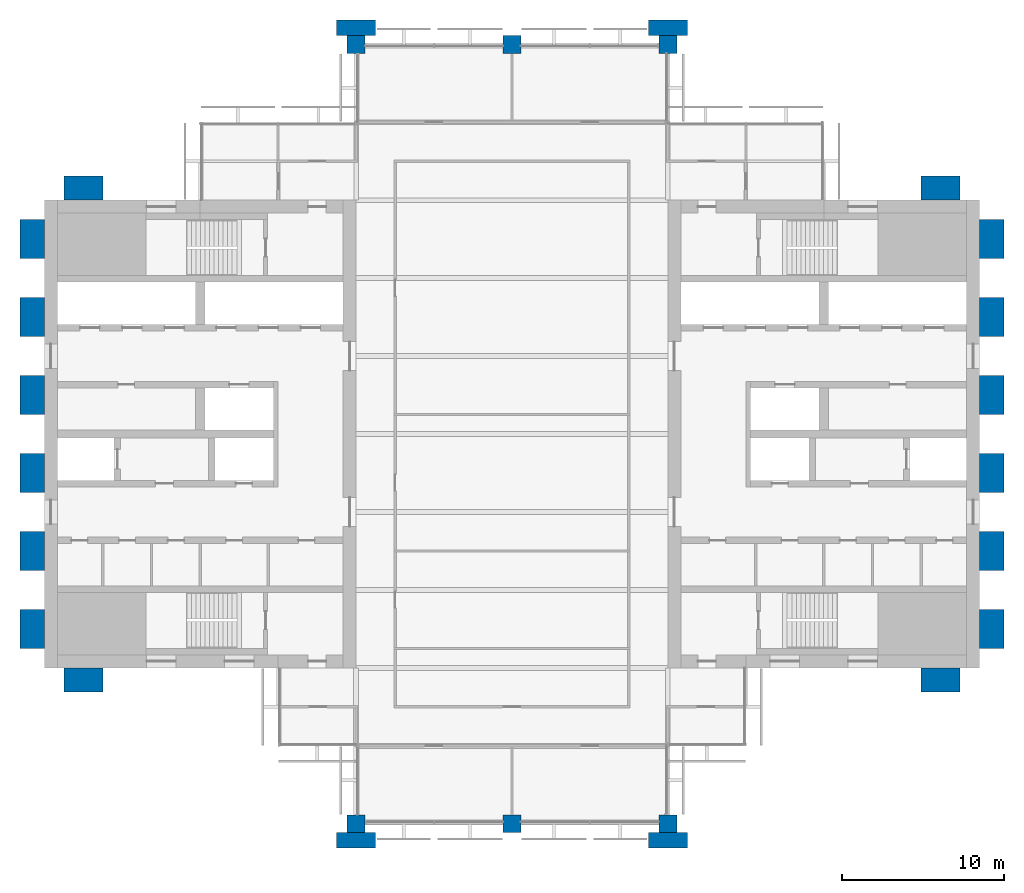
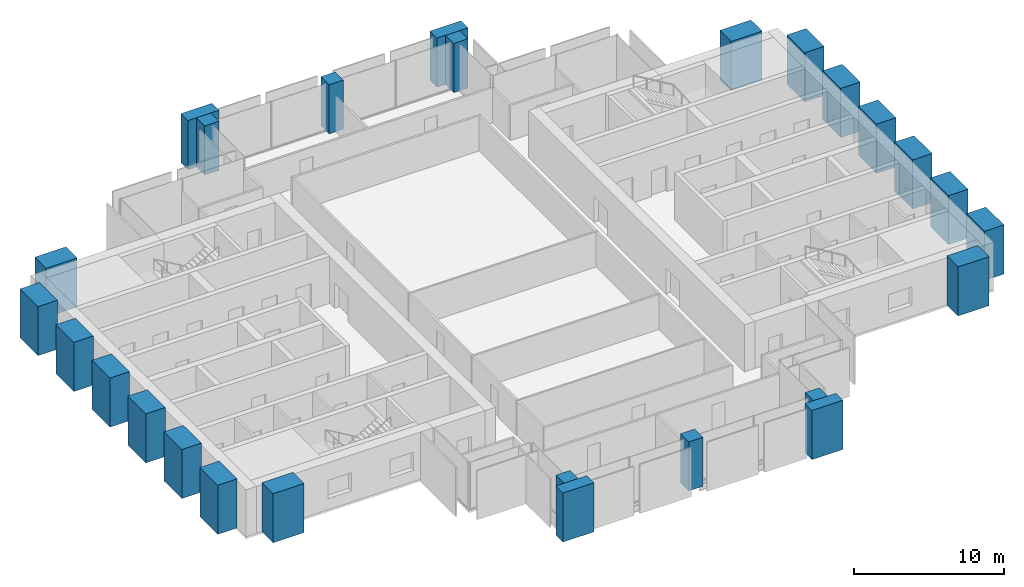
# One storey, part 1 of 13: 26 columns.
"""IFC4 building model written with IfcOpenShell, lengths in metres."""

import ifcopenshell
import ifcopenshell.guid

model = None  # the IFC model being written
_history = None  # IfcOwnerHistory: only IFC2X3 demands one
_inside = {}  # id of a spatial element -> (the spatial element, [elements in it])
_under = {}  # id of a project, library or spatial element -> (it, [spatial elements below it])
_declared = {}  # id of a project -> (the project, [libraries it declares])
_typed = {}  # id of a type object -> (the type object, [elements of that type])
_made_of = {}  # id of a material, layer set ... -> (it, [elements and type objects made of it])


def new_model(schema):
    """Start an empty IFC model of exactly this schema.

    Asked for "IFC4X3", IfcOpenShell would pick the latest addendum, in which some entities
    have other attributes; the version numbers below select the first issue.
    IFC2X3 requires an IfcOwnerHistory on every rooted entity: one is made here for all.
    """
    global model, _history
    if schema == "IFC4X3":
        model = ifcopenshell.file(schema_version=(4, 3, 0, 0))
    else:
        model = ifcopenshell.file(schema=schema)
    _inside.clear()
    _under.clear()
    _declared.clear()
    _typed.clear()
    _made_of.clear()
    _history = None
    if model.schema == "IFC2X3":
        org = make("IfcOrganization", Name="unknown")
        user = make(
            "IfcPersonAndOrganization",
            ThePerson=make("IfcPerson", FamilyName="unknown"),
            TheOrganization=org,
        )
        app = make(
            "IfcApplication",
            ApplicationDeveloper=org,
            Version="unknown",
            ApplicationFullName="unknown",
            ApplicationIdentifier="unknown",
        )
        _history = make(
            "IfcOwnerHistory",
            OwningUser=user,
            OwningApplication=app,
            ChangeAction="ADDED",
            CreationDate=0,
        )
    return model


def make(cls, **values):
    """One entity of the class cls with the attributes given. An attribute that is None is left unset."""
    return model.create_entity(
        cls, **{name: value for name, value in values.items() if value is not None}
    )


def rooted(cls, **values):
    """An entity with a GlobalId (a new one), such as an element, a storey or a relation."""
    return make(cls, GlobalId=ifcopenshell.guid.new(), OwnerHistory=_history, **values)


def si_unit(unit_type, name, prefix=None):
    """IfcSIUnit, for example si_unit("LENGTHUNIT", "METRE", prefix="MILLI")."""
    return make("IfcSIUnit", UnitType=unit_type, Prefix=prefix, Name=name)


def assignment(units):
    """IfcUnitAssignment: the units of a project."""
    return None if units is None else make("IfcUnitAssignment", Units=units)


def point(xyz):
    """IfcCartesianPoint."""
    return None if xyz is None else make("IfcCartesianPoint", Coordinates=xyz)


def direction(xyz):
    """IfcDirection."""
    return None if xyz is None else make("IfcDirection", DirectionRatios=xyz)


def frame(location, z_axis=None, x_axis=None):
    """IfcAxis2Placement3D, a coordinate frame: its origin and axes. An axis left out is left unset."""
    return make(
        "IfcAxis2Placement3D",
        Location=point(location),
        Axis=direction(z_axis),
        RefDirection=direction(x_axis),
    )


def frame_2d(location, x_axis=None):
    """IfcAxis2Placement2D, a coordinate frame in the plane: its origin and x axis."""
    return make(
        "IfcAxis2Placement2D", Location=point(location), RefDirection=direction(x_axis)
    )


def origin():
    """The frame at (0, 0, 0) with its axes left unset."""
    return frame((0.0, 0.0, 0.0))


def origin_2d():
    """The frame at (0, 0) in the plane with its x axis left unset."""
    return frame_2d((0.0, 0.0))


def place(relative_to, where):
    """IfcLocalPlacement: puts the frame where relative to a parent placement (None: the world)."""
    return make(
        "IfcLocalPlacement", PlacementRelTo=relative_to, RelativePlacement=where
    )


def context(
    kind, dimensions, precision=None, world=None, true_north=None, identifier=None
):
    """IfcGeometricRepresentationContext, for example the 3D "Model" context."""
    return make(
        "IfcGeometricRepresentationContext",
        ContextIdentifier=identifier,
        ContextType=kind,
        CoordinateSpaceDimension=dimensions,
        Precision=precision,
        WorldCoordinateSystem=world,
        TrueNorth=true_north,
    )


def subcontext(parent, identifier, kind, view, scale=None):
    """IfcGeometricRepresentationSubContext, for example "Body" below "Model"."""
    return make(
        "IfcGeometricRepresentationSubContext",
        ContextIdentifier=identifier,
        ContextType=kind,
        ParentContext=parent,
        TargetScale=scale,
        TargetView=view,
    )


def project(units=None, contexts=None):
    """IfcProject with its units and contexts."""
    return rooted(
        "IfcProject",
        Name="project",
        RepresentationContexts=contexts,
        UnitsInContext=assignment(units),
    )


def spatial(cls, under=None, at=None, **own):
    """A site, building, storey or space (cls), placed at a placement, below another one or the project."""
    s = rooted(cls, ObjectPlacement=at, **own)
    if under is not None:
        _under.setdefault(under.id(), (under, []))[1].append(s)
    return s


def profile(cls, at=None, kind="AREA", **sizes):
    """A parametric profile (cls). Its sizes go by their IFC names, for example OverallWidth=200.0."""
    return make(cls, ProfileType=kind, Position=at, **sizes)


def rectangle(**sizes):
    """IfcRectangleProfileDef."""
    return profile("IfcRectangleProfileDef", **sizes)


def extrude(swept, where, along, depth):
    """IfcExtrudedAreaSolid: the profile swept, set in the frame where, extruded along a direction by depth."""
    return make(
        "IfcExtrudedAreaSolid",
        SweptArea=swept,
        Position=where,
        ExtrudedDirection=direction(along),
        Depth=depth,
    )


def shape(context_of_items, identifier, shape_type, items):
    """IfcShapeRepresentation: the items that make up one representation, for example the "Body"."""
    return make(
        "IfcShapeRepresentation",
        ContextOfItems=context_of_items,
        RepresentationIdentifier=identifier,
        RepresentationType=shape_type,
        Items=items,
    )


def material(Name=None, Category=None):
    """IfcMaterial."""
    return make("IfcMaterial", Name=Name, Category=Category)


def material_profile(
    of_material, cross_section, Name=None, Category=None, Priority=None
):
    """IfcMaterialProfile: a cross section and its material."""
    return make(
        "IfcMaterialProfile",
        Name=Name,
        Material=of_material,
        Profile=cross_section,
        Priority=Priority,
        Category=Category,
    )


def profile_set(profiles, Name=None, composite=None):
    """IfcMaterialProfileSet."""
    return make(
        "IfcMaterialProfileSet",
        Name=Name,
        MaterialProfiles=profiles,
        CompositeProfile=composite,
    )


def made_of(thing, what):
    """Note that an element or type object is made of a material, layer set ...; save() writes the relation."""
    if what is not None:
        _made_of.setdefault(what.id(), (what, []))[1].append(thing)
    return thing


def type_object(cls, material=None, **own):
    """A type object (cls), such as IfcWallType, which elements share."""
    return made_of(rooted(cls, **own), material)


def element(
    cls,
    number,
    at=None,
    inside=None,
    cuts=None,
    type_object=None,
    material=None,
    context=None,
    identifier="Body",
    shape_type=None,
    held_by="IfcProductDefinitionShape",
    body=None,
    shapes=None,
    **own,
):
    """One element of the class cls, such as IfcWall. Its Tag is "e" and its number.

    at: its placement. inside: the storey or other place that contains it. cuts: it is an
    opening in that element (IfcRelVoidsElement). A single representation is given by context,
    identifier, shape_type and body (its items); several are given by shapes. held_by: the class
    of the entity that holds the representations. save() writes the other relations.
    """
    e = rooted(cls, Tag="e%d" % number, ObjectPlacement=at, **own)
    if body is not None:
        shapes = [shape(context, identifier, shape_type, body)]
    if shapes is not None:
        e.Representation = make(held_by, Representations=shapes)
    if inside is not None:
        _inside.setdefault(inside.id(), (inside, []))[1].append(e)
    if cuts is not None:
        rooted(
            "IfcRelVoidsElement", RelatingBuildingElement=cuts, RelatedOpeningElement=e
        )
    if type_object is not None:
        _typed.setdefault(type_object.id(), (type_object, []))[1].append(e)
    return made_of(e, material)


def aggregate(whole, parts):
    """IfcRelAggregates: a whole, such as a stair, and the parts it consists of."""
    return rooted("IfcRelAggregates", RelatingObject=whole, RelatedObjects=parts)


def save(model, path):
    """Write the relations noted so far, then the file.

    IfcRelAggregates (storeys below a building ...), IfcRelContainedInSpatialStructure (elements
    in a storey), IfcRelDefinesByType, IfcRelAssociatesMaterial and IfcRelDeclares: one each for
    every whole, place, type object, material and project.
    """
    for whole, parts in _under.values():
        aggregate(whole, parts)
    for where, things in _inside.values():
        rooted(
            "IfcRelContainedInSpatialStructure",
            RelatedElements=things,
            RelatingStructure=where,
        )
    for kind, things in _typed.values():
        rooted("IfcRelDefinesByType", RelatedObjects=things, RelatingType=kind)
    for what, things in _made_of.values():
        rooted("IfcRelAssociatesMaterial", RelatedObjects=things, RelatingMaterial=what)
    for by, libraries in _declared.values():
        rooted("IfcRelDeclares", RelatingContext=by, RelatedDefinitions=libraries)
    model.write(path)


model = new_model("IFC4")

# Units and contexts
model_context = context("Model", 3, precision=1e-05, world=origin(), true_north=direction((0.0, 1.0)))
body_context = subcontext(model_context, "Body", "Model", "MODEL_VIEW")
ifc_project = project(units=[si_unit("LENGTHUNIT", "METRE"), si_unit("AREAUNIT", "SQUARE_METRE"), si_unit("VOLUMEUNIT", "CUBIC_METRE"), si_unit("PLANEANGLEUNIT", "RADIAN"), si_unit("MASSUNIT", "GRAM", prefix="KILO")], contexts=[model_context])

# Site, building, storey
site_placement = place(None, origin())
site = spatial("IfcSite", under=ifc_project, at=site_placement, CompositionType="ELEMENT")
building_placement = place(site_placement, origin())
building = spatial("IfcBuilding", under=site, at=building_placement, Name="Baori Bourse Tower", CompositionType="ELEMENT")
storey_placement = place(building_placement, frame((0.0, 0.0, 253.199951171875)))
storey = spatial("IfcBuildingStorey", under=building, at=storey_placement, Name="L56", CompositionType="ELEMENT", Elevation=253.199951171875)

# Columns
ifc_material_1 = material(Name="Concrete f'c 60 MPa", Category="concrete")
ifc_material_profile_1 = material_profile(ifc_material_1, rectangle(XDim=2.39990234375, YDim=0.949951171875, at=origin_2d()), Name="RC 2400x950")
ifc_profile_set_1 = profile_set([ifc_material_profile_1], Name="Concrete f'c 60 MPa")
column_type_1 = type_object("IfcColumnType", Name="FN3 Brick pilaster 2400x950", PredefinedType="PILASTER", material=ifc_profile_set_1)
for number, where, z_axis, x_axis, name in (
    (1, (19.199951171875, -1.02490234375, 0.0), (0.0, 0.0, 1.0), (1.0, 0.0, 0.0), "Brick pilaster L56 17"),
    (2, (38.39990234375, -1.02490234375, 0.0), (0.0, 0.0, 1.0), (1.0, 0.0, 0.0), "Brick pilaster L56 18"),
    (3, (19.199951171875, 49.02490234375, 0.0), (0.0, 0.0, 1.0), (1.0, 0.0, 0.0), "Brick pilaster L56 19"),
    (4, (38.39990234375, 49.02490234375, 0.0), (0.0, 0.0, 1.0), (1.0, 0.0, 0.0), "Brick pilaster L56 20"),
):
    element("IfcColumn", number, at=place(storey_placement, frame(where, z_axis=z_axis, x_axis=x_axis)), inside=storey, type_object=column_type_1, Name=name, PredefinedType="PILASTER", context=body_context, shape_type="SweptSolid", body=[
        extrude(rectangle(XDim=2.39990234375, YDim=0.949951171875, at=origin_2d()), origin(), (0.0, 0.0, 1.0), 4.0),
    ])
ifc_material_2 = material(Name="Concrete f'c 60 MPa", Category="concrete")
ifc_material_profile_2 = material_profile(ifc_material_2, rectangle(XDim=2.39990234375, YDim=1.5, at=origin_2d()), Name="RC 2400x1500")
ifc_profile_set_2 = profile_set([ifc_material_profile_2], Name="Concrete f'c 60 MPa")
column_type_2 = type_object("IfcColumnType", Name="FN4 Brick flank pilaster 2400x1500", PredefinedType="PILASTER", material=ifc_profile_set_2)
for number, where, z_axis, x_axis, name in (
    (5, (55.199951171875, 8.85009765625, 0.0), (0.0, 0.0, 1.0), (1.0, 0.0, 0.0), "Brick pilaster L56 1"),
    (6, (58.35009765625, 12.0, 0.0), (0.0, 0.0, 1.0), (0.0, 1.0, 0.0), "Brick pilaster L56 2"),
    (7, (58.35009765625, 16.800048828125, 0.0), (0.0, 0.0, 1.0), (0.0, 1.0, 0.0), "Brick pilaster L56 3"),
    (8, (58.35009765625, 21.60009765625, 0.0), (0.0, 0.0, 1.0), (0.0, 1.0, 0.0), "Brick pilaster L56 4"),
    (9, (58.35009765625, 26.39990234375, 0.0), (0.0, 0.0, 1.0), (0.0, 1.0, 0.0), "Brick pilaster L56 5"),
    (10, (58.35009765625, 31.199951171875, 0.0), (0.0, 0.0, 1.0), (0.0, 1.0, 0.0), "Brick pilaster L56 6"),
    (11, (58.35009765625, 36.0, 0.0), (0.0, 0.0, 1.0), (0.0, 1.0, 0.0), "Brick pilaster L56 7"),
    (12, (55.199951171875, 39.14990234375, 0.0), (0.0, 0.0, 1.0), (1.0, 0.0, 0.0), "Brick pilaster L56 8"),
    (13, (2.39990234375, 39.14990234375, 0.0), (0.0, 0.0, 1.0), (1.0, 0.0, 0.0), "Brick pilaster L56 9"),
    (14, (-0.75, 12.0, 0.0), (0.0, 0.0, 1.0), (0.0, 1.0, 0.0), "Brick pilaster L56 10"),
    (15, (-0.75, 16.800048828125, 0.0), (0.0, 0.0, 1.0), (0.0, 1.0, 0.0), "Brick pilaster L56 11"),
    (16, (-0.75, 21.60009765625, 0.0), (0.0, 0.0, 1.0), (0.0, 1.0, 0.0), "Brick pilaster L56 12"),
    (17, (-0.75, 26.39990234375, 0.0), (0.0, 0.0, 1.0), (0.0, 1.0, 0.0), "Brick pilaster L56 13"),
    (18, (-0.75, 31.199951171875, 0.0), (0.0, 0.0, 1.0), (0.0, 1.0, 0.0), "Brick pilaster L56 14"),
    (19, (-0.75, 36.0, 0.0), (0.0, 0.0, 1.0), (0.0, 1.0, 0.0), "Brick pilaster L56 15"),
    (20, (2.39990234375, 8.85009765625, 0.0), (0.0, 0.0, 1.0), (1.0, 0.0, 0.0), "Brick pilaster L56 16"),
):
    element("IfcColumn", number, at=place(storey_placement, frame(where, z_axis=z_axis, x_axis=x_axis)), inside=storey, type_object=column_type_2, Name=name, PredefinedType="PILASTER", context=body_context, shape_type="SweptSolid", body=[
        extrude(rectangle(XDim=2.39990234375, YDim=1.5, at=origin_2d()), origin(), (0.0, 0.0, 1.0), 4.0),
    ])
ifc_material_3 = material(Name="Concrete f'c 50 MPa", Category="concrete")
ifc_material_profile_3 = material_profile(ifc_material_3, rectangle(XDim=1.10009765625, YDim=1.10009765625, at=origin_2d()), Name="RC 1100x1100")
ifc_profile_set_3 = profile_set([ifc_material_profile_3], Name="Concrete f'c 50 MPa")
column_type_3 = type_object("IfcColumnType", Name="Perimeter column 50 RC 1100x1100", PredefinedType="COLUMN", material=ifc_profile_set_3)
for number, where, z_axis, x_axis, name in (
    (21, (19.199951171875, 0.0, 0.0), (0.0, 0.0, 1.0), (1.0, 0.0, 0.0), "Perimeter column L56"),
    (22, (28.800048828125, 0.0, 0.0), (0.0, 0.0, 1.0), (1.0, 0.0, 0.0), "Perimeter column L56"),
    (23, (38.39990234375, 0.0, 0.0), (0.0, 0.0, 1.0), (1.0, 0.0, 0.0), "Perimeter column L56"),
    (24, (19.199951171875, 48.0, 0.0), (0.0, 0.0, 1.0), (1.0, 0.0, 0.0), "Perimeter column L56"),
    (25, (28.800048828125, 48.0, 0.0), (0.0, 0.0, 1.0), (1.0, 0.0, 0.0), "Perimeter column L56"),
    (26, (38.39990234375, 48.0, 0.0), (0.0, 0.0, 1.0), (1.0, 0.0, 0.0), "Perimeter column L56"),
):
    element("IfcColumn", number, at=place(storey_placement, frame(where, z_axis=z_axis, x_axis=x_axis)), inside=storey, type_object=column_type_3, Name=name, PredefinedType="COLUMN", context=body_context, shape_type="SweptSolid", body=[
        extrude(rectangle(XDim=1.10009765625, YDim=1.10009765625, at=origin_2d()), origin(), (0.0, 0.0, 1.0), 4.0),
    ])

save(model, "model.ifc")
